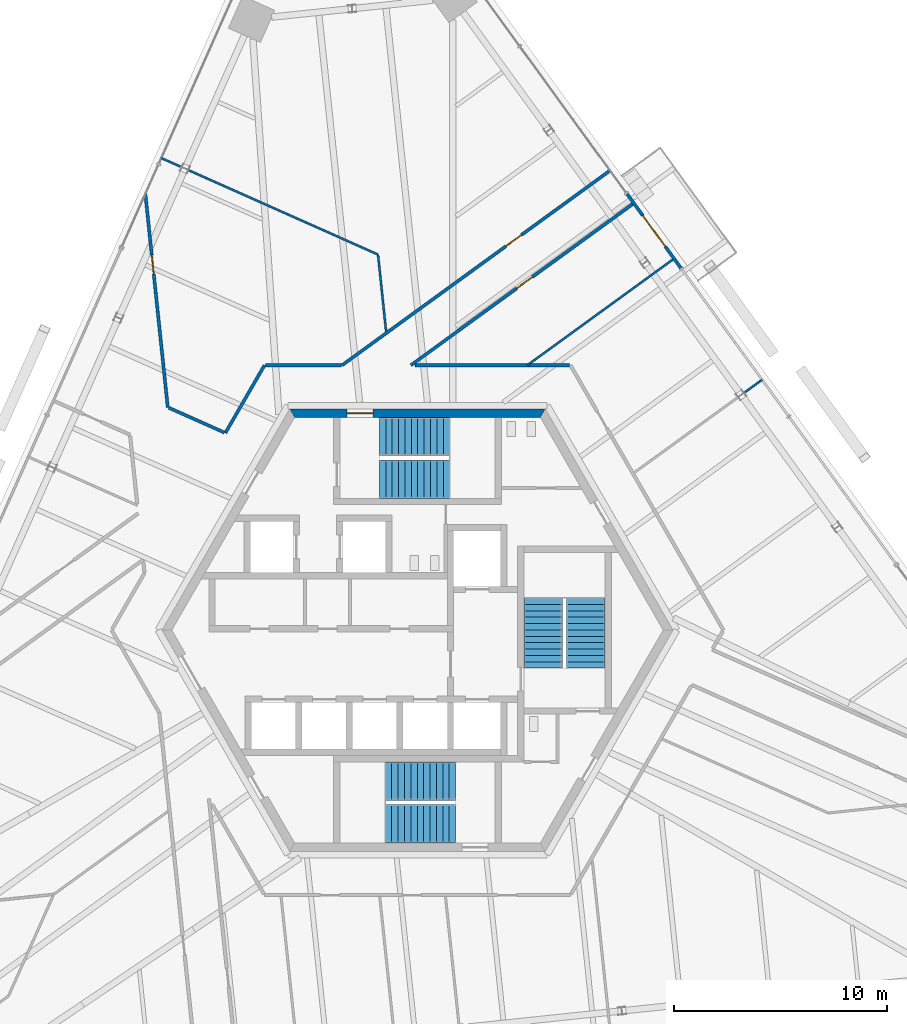
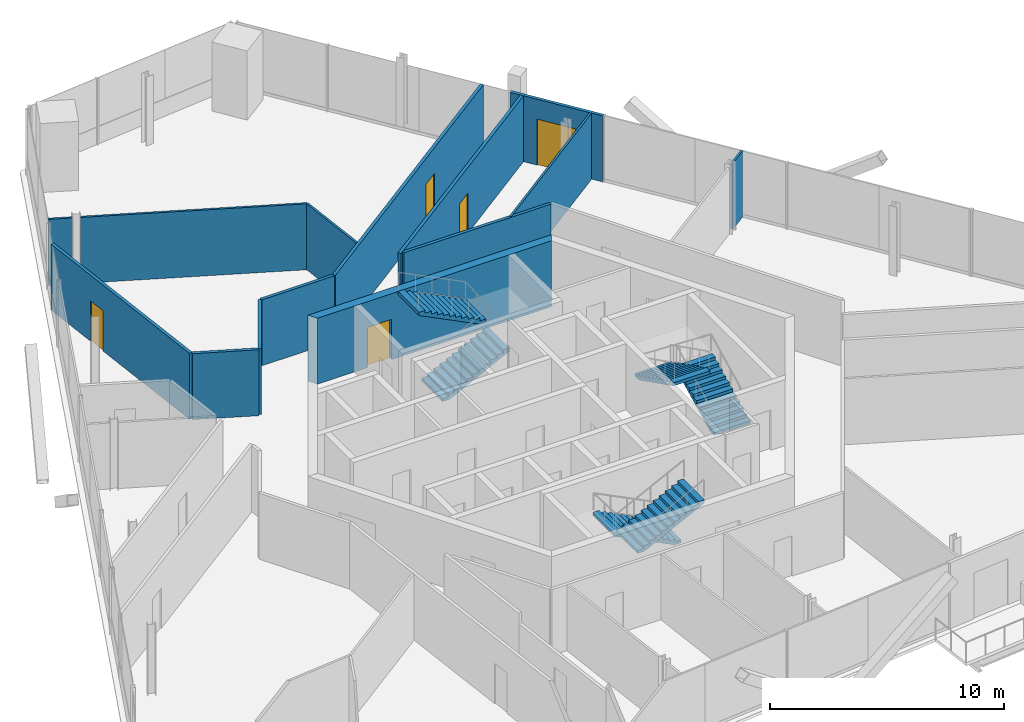
# One storey, part 14 of 18: 14 walls, 6 stair flights, 5 doors, 5 openings, 3 elements without a shape of their own.
"""IFC4 building model written with IfcOpenShell, lengths in metres."""

from ifc_helpers import new_model, si_unit, direction, frame, frame_2d, origin, place, context, subcontext, project, spatial, polyline, rectangle, outline, extrude, source, transform, mapped, material, layer, layer_set, type_object, element, fill, aggregate, save


model = new_model("IFC4")

# Units and contexts
model_context = context("Model", 3, precision=1e-05, world=origin(), true_north=direction((0.0, 1.0)))
body_context = subcontext(model_context, "Body", "Model", "MODEL_VIEW")
ifc_project = project(units=[si_unit("LENGTHUNIT", "METRE"), si_unit("AREAUNIT", "SQUARE_METRE"), si_unit("VOLUMEUNIT", "CUBIC_METRE"), si_unit("PLANEANGLEUNIT", "RADIAN"), si_unit("MASSUNIT", "GRAM", prefix="KILO")], contexts=[model_context])

# Site, building, storey
site_placement = place(None, origin())
site = spatial("IfcSite", under=ifc_project, at=site_placement, CompositionType="ELEMENT")
building_placement = place(site_placement, origin())
building = spatial("IfcBuilding", under=site, at=building_placement, Name="Triune Harvest Tower", CompositionType="ELEMENT")
storey_placement = place(building_placement, frame((0.0, 0.0, 237.699951171875)))
storey = spatial("IfcBuildingStorey", under=building, at=storey_placement, Name="L62", CompositionType="ELEMENT", Elevation=237.699951171875)

# Walls
ifc_material_1 = material(Name="Gypsum board on steel studs", Category="steel")
ifc_layer_1 = layer(ifc_material_1, 0.14990234375)
ifc_layer_set_1 = layer_set([ifc_layer_1], Name="Gypsum board on steel studs")
wall_type_1 = type_object("IfcWallType", Name="Fire Partition 150 mm", PredefinedType="PARTITIONING", material=ifc_layer_set_1)
wall_1_placement = place(storey_placement, frame((-7.133544921875, 12.4423828125, 0.0), z_axis=(0.0, 0.0, 1.0), x_axis=(1.0, 0.0, 0.0)))
element("IfcWall", 1, at=wall_1_placement, inside=storey, type_object=wall_type_1, Name="Partition L62 026", PredefinedType="PARTITIONING", context=body_context, shape_type="SweptSolid", body=[
    extrude(rectangle(XDim=3.5751953125, YDim=0.14990234375, at=frame_2d((1.78759765625, 0.0))), origin(), (0.0, 0.0, 1.0), 3.43994140625),
])
wall_2_placement = place(storey_placement, frame((-0.11572265625, 12.4423828125, 0.0), z_axis=(0.0, 0.0, 1.0), x_axis=(1.0, 0.0, 0.0)))
element("IfcWall", 2, at=wall_2_placement, inside=storey, type_object=wall_type_1, Name="Partition L62 027", PredefinedType="PARTITIONING", context=body_context, shape_type="SweptSolid", body=[
    extrude(rectangle(XDim=7.249267578125, YDim=0.14990234375, at=frame_2d((3.62451171875, 0.0))), origin(), (0.0, 0.0, 1.0), 3.43994140625),
])

# Wall, opening, door
wall_3_placement = place(storey_placement, frame((-0.305908203125, 12.4423828125, 0.0), z_axis=(0.0, 0.0, 1.0), x_axis=(0.809019966932, 0.587781160897, 0.0)))
wall_3 = element("IfcWall", 3, at=wall_3_placement, inside=storey, type_object=wall_type_1, Name="Partition L62 037", PredefinedType="PARTITIONING", context=body_context, shape_type="SweptSolid", body=[
    extrude(rectangle(XDim=12.937744140625, YDim=0.14990234375, at=frame_2d((6.46875, 0.0))), origin(), (0.0, 0.0, 1.0), 3.43994140625),
])
opening_1_placement = place(wall_3_placement, frame((6.14990234375, 0.0, 0.0)))
opening_1 = element("IfcOpeningElement", 4, at=opening_1_placement, cuts=wall_3, Name="Opening L62-005", PredefinedType="OPENING", context=body_context, shape_type="SweptSolid", body=[
    extrude(rectangle(XDim=0.89990234375, YDim=2.10009765625, at=frame_2d((0.449951171875, 1.050048828125))), frame((0.0, 0.0849609375, 0.0), z_axis=(0.0, -1.0, 0.0), x_axis=(1.0, 0.0, 0.0)), (0.0, 0.0, 1.0), 0.169921875),
])
ifc_material_2 = material(Name="Timber and steel door set", Category="steel")
door_type_1 = type_object("IfcDoorType", Name="Single leaf door FD30 left hand 900 x 2100", OperationType="SINGLE_SWING_LEFT", PredefinedType="DOOR", material=ifc_material_2)
door_1_placement = place(opening_1_placement, origin())
door_1 = element("IfcDoor", 5, at=door_1_placement, inside=storey, type_object=door_type_1, Name="Door L62-005 Office 62.05", OperationType="SINGLE_SWING_LEFT", OverallHeight=2.10009765625, OverallWidth=0.89990234375, PredefinedType="DOOR", context=body_context, shape_type="SweptSolid", body=[
    extrude(rectangle(XDim=0.89990234375, YDim=2.10009765625, at=frame_2d((0.449951171875, 1.050048828125))), frame((0.0, 0.02490234375, 0.0), z_axis=(0.0, -1.0, 0.0), x_axis=(1.0, 0.0, 0.0)), (0.0, 0.0, 1.0), 0.050048828125),
])
fill(opening_1, door_1)

wall_4_placement = place(storey_placement, frame((-3.5380859375, 12.4423828125, 0.0), z_axis=(0.0, 0.0, 1.0), x_axis=(0.809010244054, 0.5877945432, 0.0)))
wall_4 = element("IfcWall", 6, at=wall_4_placement, inside=storey, type_object=wall_type_1, Name="Partition L62 039", PredefinedType="PARTITIONING", context=body_context, shape_type="SweptSolid", body=[
    extrude(rectangle(XDim=15.552490234375, YDim=0.14990234375, at=frame_2d((7.7763671875, 0.0))), origin(), (0.0, 0.0, 1.0), 3.43994140625),
])
opening_2_placement = place(wall_4_placement, frame((9.50244140625, 0.0, 0.0)))
opening_2 = element("IfcOpeningElement", 7, at=opening_2_placement, cuts=wall_4, Name="Opening L62-004", PredefinedType="OPENING", context=body_context, shape_type="SweptSolid", body=[
    extrude(rectangle(XDim=0.89990234375, YDim=2.10009765625, at=frame_2d((0.449951171875, 1.050048828125))), frame((0.0, 0.0849609375, 0.0), z_axis=(0.0, -1.0, 0.0), x_axis=(1.0, 0.0, 0.0)), (0.0, 0.0, 1.0), 0.169921875),
])
ifc_material_3 = material(Name="Timber and steel door set", Category="steel")
door_type_2 = type_object("IfcDoorType", Name="Single leaf door FD30 right hand 900 x 2100", OperationType="SINGLE_SWING_RIGHT", PredefinedType="DOOR", material=ifc_material_3)
door_2_placement = place(opening_2_placement, origin())
door_2 = element("IfcDoor", 8, at=door_2_placement, inside=storey, type_object=door_type_2, Name="Door L62-004 Office 62.04", OperationType="SINGLE_SWING_RIGHT", OverallHeight=2.10009765625, OverallWidth=0.89990234375, PredefinedType="DOOR", context=body_context, shape_type="SweptSolid", body=[
    extrude(rectangle(XDim=0.89990234375, YDim=2.10009765625, at=frame_2d((0.449951171875, 1.050048828125))), frame((0.0, 0.02490234375, 0.0), z_axis=(0.0, -1.0, 0.0), x_axis=(1.0, 0.0, 0.0)), (0.0, 0.0, 1.0), 0.050048828125),
])
fill(opening_2, door_2)

# Walls
ifc_material_4 = material(Name="Gypsum board on steel studs", Category="steel")
ifc_layer_2 = layer(ifc_material_4, 0.10009765625)
ifc_layer_set_2 = layer_set([ifc_layer_2], Name="Gypsum board on steel studs")
wall_type_2 = type_object("IfcWallType", Name="Partition 100 mm", PredefinedType="PARTITIONING", material=ifc_layer_set_2)
wall_5_placement = place(storey_placement, frame((-1.851806640625, 17.617919921875, 0.0), z_axis=(0.0, 0.0, 1.0), x_axis=(0.104564767339, -0.994518078987, 0.0)))
element("IfcWall", 9, at=wall_5_placement, inside=storey, type_object=wall_type_2, Name="Partition L62 009", PredefinedType="PARTITIONING", context=body_context, shape_type="SweptSolid", body=[
    extrude(rectangle(XDim=3.600341796875, YDim=0.10009765625, at=frame_2d((1.80029296875, 0.0))), origin(), (0.0, 0.0, 1.0), 3.43994140625),
])
wall_6_placement = place(storey_placement, frame((5.16064453125, 12.4423828125, 0.0), z_axis=(0.0, 0.0, 1.0), x_axis=(0.80902859027, 0.587769291581, 0.0)))
element("IfcWall", 10, at=wall_6_placement, inside=storey, type_object=wall_type_2, Name="Partition L62 035", PredefinedType="PARTITIONING", context=body_context, shape_type="SweptSolid", body=[
    extrude(rectangle(XDim=8.51513671875, YDim=0.10009765625, at=frame_2d((4.257568359375, 0.0))), origin(), (0.0, 0.0, 1.0), 3.43994140625),
])

# Wall, opening, door
ifc_material_5 = material(Name="Concrete 70 MPa", Category="concrete")
ifc_layer_3 = layer(ifc_material_5, 0.39990234375)
ifc_layer_set_3 = layer_set([ifc_layer_3], Name="Concrete 70 MPa")
wall_type_3 = type_object("IfcWallType", Name="Core wall 400", PredefinedType="SHEAR", material=ifc_layer_set_3)
shared_shape_1 = source(origin(), body_context, "Body", "SweptSolid", [
    extrude(outline(polyline([(-0.115478515625, -0.199951171875), (11.884521484375, -0.199951171875), (11.653564453125, 0.199951171875), (0.115478515625, 0.199951171875), (-0.115478515625, -0.199951171875)])), origin(), (0.0, 0.0, 1.0), 3.43994140625),
])
wall_7_placement = place(storey_placement, frame((5.884521484375, 10.1923828125, 0.0), z_axis=(0.0, 0.0, 1.0), x_axis=(-1.0, 0.0, 0.0)))
wall_7 = element("IfcWall", 11, at=wall_7_placement, inside=storey, type_object=wall_type_3, Name="Hexagon 1 wall", PredefinedType="SHEAR", context=body_context, shape_type="MappedRepresentation", body=[
    mapped(shared_shape_1, transform((0.0, 0.0, 0.0), scale=1.0)),
])
opening_3_placement = place(wall_7_placement, frame((7.984619140625, 0.0, 0.0)))
opening_3 = element("IfcOpeningElement", 12, at=opening_3_placement, cuts=wall_7, Name="Opening CD-S1P", PredefinedType="OPENING", context=body_context, shape_type="SweptSolid", body=[
    extrude(rectangle(XDim=1.199951171875, YDim=2.10009765625, at=frame_2d((0.60009765625, 1.050048828125))), frame((0.0, 0.2099609375, 0.0), z_axis=(0.0, -1.0, 0.0), x_axis=(1.0, 0.0, 0.0)), (0.0, 0.0, 1.0), 0.419921875),
])
ifc_material_6 = material(Name="Steel S235", Category="steel")
door_type_3 = type_object("IfcDoorType", Name="Stair door 1200 FD120", OperationType="SINGLE_SWING_LEFT", PredefinedType="DOOR", material=ifc_material_6)
door_3_placement = place(opening_3_placement, frame((1.199951171875, 0.0, 0.0), z_axis=(0.0, 0.0, 1.0), x_axis=(-1.0, 0.0, 0.0)))
door_3 = element("IfcDoor", 13, at=door_3_placement, inside=storey, type_object=door_type_3, Name="Door CD-S1P", OperationType="SINGLE_SWING_RIGHT", OverallHeight=2.10009765625, OverallWidth=1.199951171875, PredefinedType="DOOR", context=body_context, shape_type="SweptSolid", body=[
    extrude(rectangle(XDim=1.199951171875, YDim=2.10009765625, at=frame_2d((0.60009765625, 1.050048828125))), frame((0.0, 0.02490234375, 0.0), z_axis=(0.0, -1.0, 0.0), x_axis=(1.0, 0.0, 0.0)), (0.0, 0.0, 1.0), 0.050048828125),
])
fill(opening_3, door_3)

ifc_material_7 = material(Name="Aluminium bronze anodised", Category="aluminium")
ifc_layer_4 = layer(ifc_material_7, 0.14990234375)
ifc_layer_set_4 = layer_set([ifc_layer_4], Name="Aluminium bronze anodised")
wall_type_4 = type_object("IfcWallType", Name="WW-2 balcony window wall", PredefinedType="ELEMENTEDWALL", material=ifc_layer_set_4)
shared_shape_2 = source(origin(), body_context, "Body", "SweptSolid", [
    extrude(rectangle(XDim=4.31640625, YDim=0.14990234375, at=frame_2d((2.158203125, 0.0))), origin(), (0.0, 0.0, 1.0), 3.43994140625),
])
wall_8_placement = place(storey_placement, frame((9.84033203125, 20.48779296875, 0.0), z_axis=(0.0, 0.0, 1.0), x_axis=(0.587794959831, -0.809009941346, 0.0)))
wall_8 = element("IfcWall", 14, at=wall_8_placement, inside=storey, type_object=wall_type_4, Name="WW-2 B6-F1 L62.8", PredefinedType="ELEMENTEDWALL", context=body_context, shape_type="MappedRepresentation", body=[
    mapped(shared_shape_2, transform((0.0, 0.0, 0.0), scale=1.0)),
])
opening_4_placement = place(wall_8_placement, frame((1.25830078125, 0.0, 0.0)))
opening_4 = element("IfcOpeningElement", 15, at=opening_4_placement, cuts=wall_8, Name="Opening L62-E01", PredefinedType="OPENING", context=body_context, shape_type="SweptSolid", body=[
    extrude(rectangle(XDim=1.800048828125, YDim=2.39990234375, at=frame_2d((0.89990234375, 1.199951171875))), frame((0.0, 0.0849609375, 0.0), z_axis=(0.0, -1.0, 0.0), x_axis=(1.0, 0.0, 0.0)), (0.0, 0.0, 1.0), 0.169921875),
])
ifc_material_8 = material(Name="Glass", Category="glass")
door_type_4 = type_object("IfcDoorType", Name="DB-1 balcony door 1800 x 2400", OperationType="DOUBLE_DOOR_SINGLE_SWING", PredefinedType="DOOR", material=ifc_material_8)
door_4_placement = place(opening_4_placement, origin())
door_4 = element("IfcDoor", 16, at=door_4_placement, inside=storey, type_object=door_type_4, Name="Door L62-E01", OperationType="DOUBLE_DOOR_SINGLE_SWING", OverallHeight=2.39990234375, OverallWidth=1.800048828125, PredefinedType="DOOR", context=body_context, shape_type="SweptSolid", body=[
    extrude(rectangle(XDim=1.800048828125, YDim=2.39990234375, at=frame_2d((0.89990234375, 1.199951171875))), frame((0.0, 0.02490234375, 0.0), z_axis=(0.0, -1.0, 0.0), x_axis=(1.0, 0.0, 0.0)), (0.0, 0.0, 1.0), 0.050048828125),
])
fill(opening_4, door_4)

# Walls
shared_shape_3 = source(origin(), body_context, "Body", "SweptSolid", [
    extrude(rectangle(XDim=1.0478515625, YDim=0.10009765625, at=frame_2d((0.52392578125, 0.0))), origin(), (0.0, 0.0, 1.0), 3.43994140625),
])
for number, where, z_axis, x_axis, name in (
    (17, (-12.027099609375, 22.167236328125, 0.0), (0.0, 0.0, 1.0), (0.91352309314, -0.406786870855, 0.0), "Partition L62 023"),
    (18, (15.33544921875, 11.141845703125, 0.0), (0.0, 0.0, 1.0), (0.808967759712, 0.587853012025, 0.0), "Partition L62 034"),
):
    element("IfcWall", number, at=place(storey_placement, frame(where, z_axis=z_axis, x_axis=x_axis)), inside=storey, type_object=wall_type_2, Name=name, PredefinedType="PARTITIONING", context=body_context, shape_type="MappedRepresentation", body=[
        mapped(shared_shape_3, transform((0.0, 0.0, 0.0), scale=1.0)),
    ])

# Wall, opening, door
shared_shape_4 = source(origin(), body_context, "Body", "SweptSolid", [
    extrude(rectangle(XDim=10.067626953125, YDim=0.14990234375, at=frame_2d((5.03369140625, 0.0))), origin(), (0.0, 0.0, 1.0), 3.43994140625),
])
wall_9_placement = place(storey_placement, frame((-12.779541015625, 20.476806640625, 0.0), z_axis=(0.0, 0.0, 1.0), x_axis=(0.104518154608, -0.994522978798, 0.0)))
wall_9 = element("IfcWall", 19, at=wall_9_placement, inside=storey, type_object=wall_type_1, Name="Partition L62 004", PredefinedType="PARTITIONING", context=body_context, shape_type="MappedRepresentation", body=[
    mapped(shared_shape_4, transform((0.0, 0.0, 0.0), scale=1.0)),
])
opening_5_placement = place(wall_9_placement, frame((2.877685546875, 0.0, 0.0)))
opening_5 = element("IfcOpeningElement", 20, at=opening_5_placement, cuts=wall_9, Name="Opening L62-006", PredefinedType="OPENING", context=body_context, shape_type="SweptSolid", body=[
    extrude(rectangle(XDim=0.89990234375, YDim=2.10009765625, at=frame_2d((0.449951171875, 1.050048828125))), frame((0.0, 0.0849609375, 0.0), z_axis=(0.0, -1.0, 0.0), x_axis=(1.0, 0.0, 0.0)), (0.0, 0.0, 1.0), 0.169921875),
])
door_5_placement = place(opening_5_placement, origin())
door_5 = element("IfcDoor", 21, at=door_5_placement, inside=storey, type_object=door_type_1, Name="Door L62-006 Pantry 62.06", OperationType="SINGLE_SWING_LEFT", OverallHeight=2.10009765625, OverallWidth=0.89990234375, PredefinedType="DOOR", context=body_context, shape_type="SweptSolid", body=[
    extrude(rectangle(XDim=0.89990234375, YDim=2.10009765625, at=frame_2d((0.449951171875, 1.050048828125))), frame((0.0, 0.02490234375, 0.0), z_axis=(0.0, -1.0, 0.0), x_axis=(1.0, 0.0, 0.0)), (0.0, 0.0, 1.0), 0.050048828125),
])
fill(opening_5, door_5)

# Walls
shared_shape_5 = source(origin(), body_context, "Body", "SweptSolid", [
    extrude(rectangle(XDim=2.8623046875, YDim=0.14990234375, at=frame_2d((1.43115234375, 0.0))), origin(), (0.0, 0.0, 1.0), 3.43994140625),
])
wall_10_placement = place(storey_placement, frame((-11.681640625, 10.444091796875, 0.0), z_axis=(0.0, 0.0, 1.0), x_axis=(0.913526415595, -0.406779409521, 0.0)))
element("IfcWall", 22, at=wall_10_placement, inside=storey, type_object=wall_type_1, Name="Partition L62 021", PredefinedType="PARTITIONING", context=body_context, shape_type="MappedRepresentation", body=[
    mapped(shared_shape_5, transform((0.0, 0.0, 0.0), scale=1.0)),
])
shared_shape_6 = source(origin(), body_context, "Body", "SweptSolid", [
    extrude(rectangle(XDim=9.752685546875, YDim=0.10009765625, at=frame_2d((4.87646484375, 0.0))), origin(), (0.0, 0.0, 1.0), 3.43994140625),
])
wall_11_placement = place(storey_placement, frame((-10.76318359375, 21.6044921875, 0.0), z_axis=(0.0, 0.0, 1.0), x_axis=(0.913542950004, -0.406742275277, 0.0)))
element("IfcWall", 23, at=wall_11_placement, inside=storey, type_object=wall_type_2, Name="Partition L62 024", PredefinedType="PARTITIONING", context=body_context, shape_type="MappedRepresentation", body=[
    mapped(shared_shape_6, transform((0.0, 0.0, 0.0), scale=1.0)),
])
shared_shape_7 = source(origin(), body_context, "Body", "SweptSolid", [
    extrude(rectangle(XDim=3.675048828125, YDim=0.14990234375, at=frame_2d((1.83740234375, 0.0))), origin(), (0.0, 0.0, 1.0), 3.43994140625),
])
wall_12_placement = place(storey_placement, frame((-9.021484375, 9.259521484375, 0.0), z_axis=(0.0, 0.0, 1.0), x_axis=(0.500032977642, 0.866006363297, 0.0)))
element("IfcWall", 24, at=wall_12_placement, inside=storey, type_object=wall_type_1, Name="Partition L62 043", PredefinedType="PARTITIONING", context=body_context, shape_type="MappedRepresentation", body=[
    mapped(shared_shape_7, transform((0.0, 0.0, 0.0), scale=1.0)),
])

# Stair, stair flights
ifc_material_9 = material(Name="Concrete 40 MPa", Category="concrete")
stair_type = type_object("IfcStairType", Name="Exit stair 1800 half turn", PredefinedType="HALF_TURN_STAIR", material=ifc_material_9)
stair_1_placement = place(storey_placement, origin())
stair_1 = element("IfcStair", 25, at=stair_1_placement, inside=storey, type_object=stair_type, Name="Exit stair north", PredefinedType="HALF_TURN_STAIR")
ifc_material_10 = material(Name="Concrete 40 MPa", Category="concrete")
stair_flight_type = type_object("IfcStairFlightType", Name="Stair flight 1800", PredefinedType="STRAIGHT", material=ifc_material_10)
shared_shape_8 = source(origin(), body_context, "Body", "SweptSolid", [
    extrude(outline(polyline([(0.0, 0.0), (0.0, 0.14990234375), (0.300048828125, 0.14990234375), (0.300048828125, 0.300048828125), (0.60009765625, 0.300048828125), (0.60009765625, 0.449951171875), (0.89990234375, 0.449951171875), (0.89990234375, 0.60009765625), (1.199951171875, 0.60009765625), (1.199951171875, 0.75), (1.5, 0.75), (1.5, 0.89990234375), (1.800048828125, 0.89990234375), (1.800048828125, 1.050048828125), (2.10009765625, 1.050048828125), (2.10009765625, 1.199951171875), (2.39990234375, 1.199951171875), (2.39990234375, 1.35009765625), (2.699951171875, 1.35009765625), (2.699951171875, 1.5), (3.0, 1.5), (3.0, 1.64990234375), (3.300048828125, 1.64990234375), (3.300048828125, 1.800048828125), (3.300048828125, 1.482421875), (0.335205078125, 0.0), (0.0, 0.0)])), frame((0.0, 0.89990234375, 0.0), z_axis=(0.0, -1.0, 0.0), x_axis=(1.0, 0.0, 0.0)), (0.0, 0.0, 1.0), 1.800048828125),
])
stair_flight_1_placement = place(storey_placement, frame((-1.7900390625, 7.090087890625, 0.0), z_axis=(0.0, 0.0, 1.0), x_axis=(1.0, 0.0, 0.0)))
stair_flight_1 = element("IfcStairFlight", 26, at=stair_flight_1_placement, type_object=stair_flight_type, Name="ST-1 flight 1", NumberOfRisers=12, NumberOfTreads=11, PredefinedType="STRAIGHT", RiserHeight=0.15, TreadLength=0.3, context=body_context, shape_type="MappedRepresentation", body=[
    mapped(shared_shape_8, transform((0.0, 0.0, 0.0), scale=1.0)),
])
stair_flight_2_placement = place(storey_placement, frame((1.510009765625, 9.090087890625, 1.800048828125), z_axis=(0.0, 0.0, 1.0), x_axis=(-1.0, 0.0, 0.0)))
stair_flight_2 = element("IfcStairFlight", 27, at=stair_flight_2_placement, type_object=stair_flight_type, Name="ST-1 flight 2", NumberOfRisers=12, NumberOfTreads=11, PredefinedType="STRAIGHT", RiserHeight=0.15, TreadLength=0.3, context=body_context, shape_type="MappedRepresentation", body=[
    mapped(shared_shape_8, transform((0.0, 0.0, 0.0), scale=1.0)),
])
aggregate(stair_1, [stair_flight_1, stair_flight_2])

stair_2_placement = place(storey_placement, origin())
stair_2 = element("IfcStair", 28, at=stair_2_placement, inside=storey, type_object=stair_type, Name="Exit stair south", PredefinedType="HALF_TURN_STAIR")
stair_flight_3_placement = place(storey_placement, frame((1.7900390625, -7.090087890625, 0.0), z_axis=(0.0, 0.0, 1.0), x_axis=(-1.0, 0.0, 0.0)))
stair_flight_3 = element("IfcStairFlight", 29, at=stair_flight_3_placement, type_object=stair_flight_type, Name="ST-2 flight 1", NumberOfRisers=12, NumberOfTreads=11, PredefinedType="STRAIGHT", RiserHeight=0.15, TreadLength=0.3, context=body_context, shape_type="MappedRepresentation", body=[
    mapped(shared_shape_8, transform((0.0, 0.0, 0.0), scale=1.0)),
])
stair_flight_4_placement = place(storey_placement, frame((-1.510009765625, -9.090087890625, 1.800048828125), z_axis=(0.0, 0.0, 1.0), x_axis=(1.0, 0.0, 0.0)))
stair_flight_4 = element("IfcStairFlight", 30, at=stair_flight_4_placement, type_object=stair_flight_type, Name="ST-2 flight 2", NumberOfRisers=12, NumberOfTreads=11, PredefinedType="STRAIGHT", RiserHeight=0.15, TreadLength=0.3, context=body_context, shape_type="MappedRepresentation", body=[
    mapped(shared_shape_8, transform((0.0, 0.0, 0.0), scale=1.0)),
])
aggregate(stair_2, [stair_flight_3, stair_flight_4])

stair_3_placement = place(storey_placement, origin())
stair_3 = element("IfcStair", 31, at=stair_3_placement, inside=storey, type_object=stair_type, Name="Exit stair east", PredefinedType="HALF_TURN_STAIR")
stair_flight_5_placement = place(storey_placement, frame((7.89990234375, -1.7900390625, 0.0), z_axis=(0.0, 0.0, 1.0), x_axis=(0.0, 1.0, 0.0)))
stair_flight_5 = element("IfcStairFlight", 32, at=stair_flight_5_placement, type_object=stair_flight_type, Name="ST-3 flight 1", NumberOfRisers=12, NumberOfTreads=11, PredefinedType="STRAIGHT", RiserHeight=0.15, TreadLength=0.3, context=body_context, shape_type="MappedRepresentation", body=[
    mapped(shared_shape_8, transform((0.0, 0.0, 0.0), scale=1.0)),
])
stair_flight_6_placement = place(storey_placement, frame((5.89990234375, 1.510009765625, 1.800048828125), z_axis=(0.0, 0.0, 1.0), x_axis=(0.0, -1.0, 0.0)))
stair_flight_6 = element("IfcStairFlight", 33, at=stair_flight_6_placement, type_object=stair_flight_type, Name="ST-3 flight 2", NumberOfRisers=12, NumberOfTreads=11, PredefinedType="STRAIGHT", RiserHeight=0.15, TreadLength=0.3, context=body_context, shape_type="MappedRepresentation", body=[
    mapped(shared_shape_8, transform((0.0, 0.0, 0.0), scale=1.0)),
])
aggregate(stair_3, [stair_flight_5, stair_flight_6])

save(model, "model.ifc")
